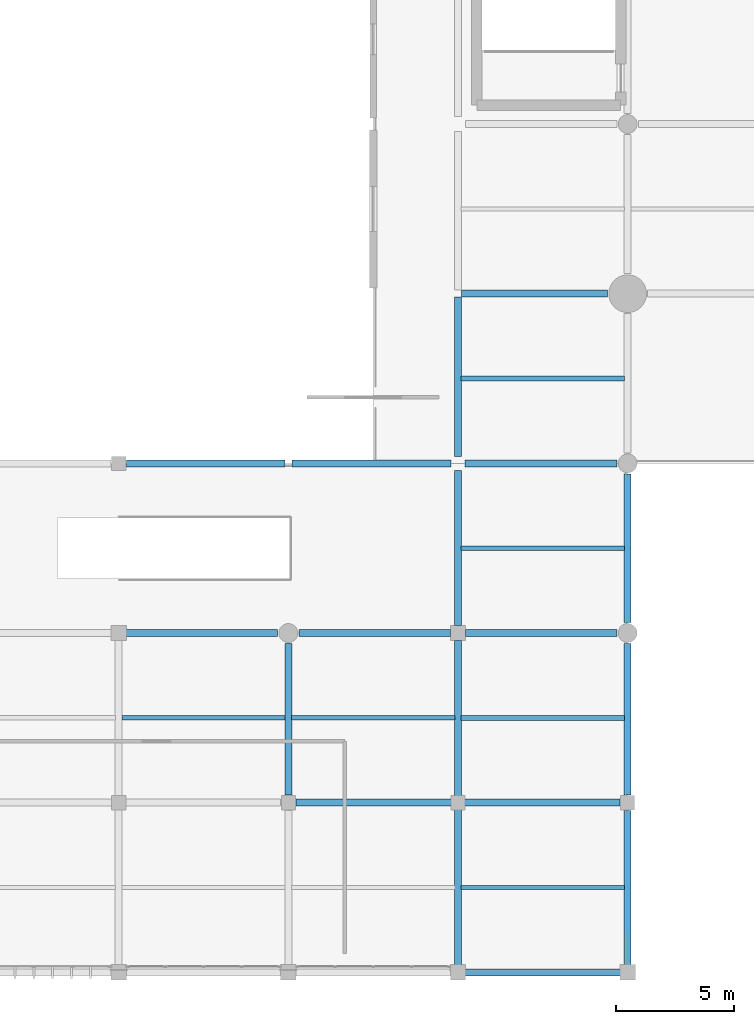
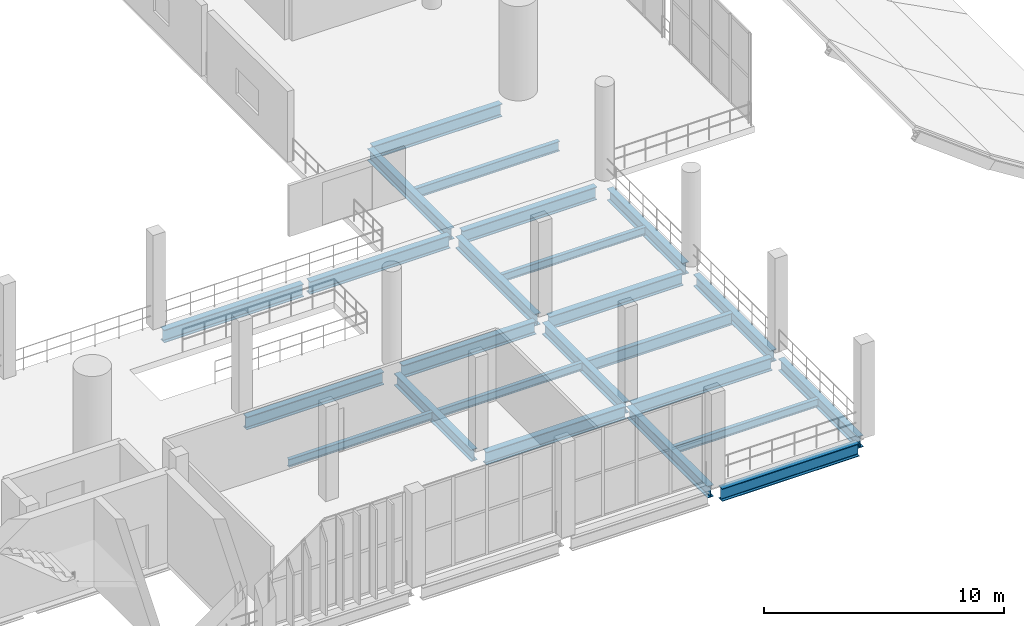
# One storey, part 27 of 105: 24 beams.
"""IFC4 building model written with IfcOpenShell, lengths in metres."""

from ifc_helpers import new_model, si_unit, direction, frame, origin, origin_2d, place, context, subcontext, project, spatial, i_section, extrude, material, material_profile, profile_set, type_object, element, save


model = new_model("IFC4")

# Units and contexts
model_context = context("Model", 3, precision=1e-05, world=origin(), true_north=direction((0.0, 1.0)))
body_context = subcontext(model_context, "Body", "Model", "MODEL_VIEW")
ifc_project = project(units=[si_unit("LENGTHUNIT", "METRE"), si_unit("AREAUNIT", "SQUARE_METRE"), si_unit("VOLUMEUNIT", "CUBIC_METRE"), si_unit("PLANEANGLEUNIT", "RADIAN"), si_unit("MASSUNIT", "GRAM", prefix="KILO")], contexts=[model_context])

# Site, building, storey
site_placement = place(None, origin())
site = spatial("IfcSite", under=ifc_project, at=site_placement, CompositionType="ELEMENT")
building_placement = place(site_placement, origin())
building = spatial("IfcBuilding", under=site, at=building_placement, Name="Qandorah Velis Arena", CompositionType="ELEMENT")
storey_placement = place(building_placement, frame((0.0, 0.0, 13.800048828125)))
storey = spatial("IfcBuildingStorey", under=building, at=storey_placement, Name="L03", CompositionType="ELEMENT", Elevation=13.800048828125)

# Beams
ifc_material = material(Name="Steel S355", Category="steel")
ifc_material_profile_1 = material_profile(ifc_material, i_section(OverallWidth=0.300048828125, OverallDepth=0.60009765625, WebThickness=0.015380859375, FlangeThickness=0.030029296875, FilletRadius=0.027099609375, at=origin_2d()), Name="HEB 600")
ifc_profile_set_1 = profile_set([ifc_material_profile_1], Name="Steel S355")
beam_type_1 = type_object("IfcBeamType", Name="STR-BM-HEB600", PredefinedType="BEAM", material=ifc_profile_set_1)
beam_1_placement = place(storey_placement, frame((100.800048828125, 7.52490234375, -0.6201171875), z_axis=(0.0, 1.0, 0.0), x_axis=(-1.0, 0.0, 0.0)))
element("IfcBeam", 1, at=beam_1_placement, inside=storey, type_object=beam_type_1, Name="Primary floor girder L03 Y-279", PredefinedType="BEAM", context=body_context, shape_type="SweptSolid", body=[
    extrude(i_section(OverallWidth=0.300048828125, OverallDepth=0.60009765625, WebThickness=0.015380859375, FlangeThickness=0.030029296875, FilletRadius=0.027099609375, at=origin_2d()), origin(), (0.0, 0.0, 1.0), 6.425048828125),
])
beam_2_placement = place(storey_placement, frame((108.0, 0.300048828125, -0.6201171875), z_axis=(0.0, 1.0, 0.0), x_axis=(-1.0, 0.0, 0.0)))
element("IfcBeam", 2, at=beam_2_placement, inside=storey, type_object=beam_type_1, Name="Primary floor girder L03 Y-281", PredefinedType="BEAM", context=body_context, shape_type="SweptSolid", body=[
    extrude(i_section(OverallWidth=0.300048828125, OverallDepth=0.60009765625, WebThickness=0.015380859375, FlangeThickness=0.030029296875, FilletRadius=0.027099609375, at=origin_2d()), origin(), (0.0, 0.0, 1.0), 6.75),
])
beam_3_placement = place(storey_placement, frame((108.0, 7.35009765625, -0.6201171875), z_axis=(0.0, 1.0, 0.0), x_axis=(-1.0, 0.0, 0.0)))
element("IfcBeam", 3, at=beam_3_placement, inside=storey, type_object=beam_type_1, Name="Primary floor girder L03 Y-282", PredefinedType="BEAM", context=body_context, shape_type="SweptSolid", body=[
    extrude(i_section(OverallWidth=0.300048828125, OverallDepth=0.60009765625, WebThickness=0.015380859375, FlangeThickness=0.030029296875, FilletRadius=0.027099609375, at=origin_2d()), origin(), (0.0, 0.0, 1.0), 6.724853515625),
])
beam_4_placement = place(storey_placement, frame((108.0, 14.72509765625, -0.6201171875), z_axis=(0.0, 1.0, 0.0), x_axis=(-1.0, 0.0, 0.0)))
element("IfcBeam", 4, at=beam_4_placement, inside=storey, type_object=beam_type_1, Name="Primary floor girder L03 Y-283", PredefinedType="BEAM", context=body_context, shape_type="SweptSolid", body=[
    extrude(i_section(OverallWidth=0.300048828125, OverallDepth=0.60009765625, WebThickness=0.015380859375, FlangeThickness=0.030029296875, FilletRadius=0.027099609375, at=origin_2d()), origin(), (0.0, 0.0, 1.0), 6.574951171875),
])
beam_5_placement = place(storey_placement, frame((108.0, 21.89990234375, -0.6201171875), z_axis=(0.0, 1.0, 0.0), x_axis=(-1.0, 0.0, 0.0)))
element("IfcBeam", 5, at=beam_5_placement, inside=storey, type_object=beam_type_1, Name="Primary floor girder L03 Y-284", PredefinedType="BEAM", context=body_context, shape_type="SweptSolid", body=[
    extrude(i_section(OverallWidth=0.300048828125, OverallDepth=0.60009765625, WebThickness=0.015380859375, FlangeThickness=0.030029296875, FilletRadius=0.027099609375, at=origin_2d()), origin(), (0.0, 0.0, 1.0), 6.75),
])
beam_6_placement = place(storey_placement, frame((115.199951171875, 0.300048828125, -0.6201171875), z_axis=(0.0, 1.0, 0.0), x_axis=(-1.0, 0.0, 0.0)))
element("IfcBeam", 6, at=beam_6_placement, inside=storey, type_object=beam_type_1, Name="Primary floor girder L03 Y-299", PredefinedType="BEAM", context=body_context, shape_type="SweptSolid", body=[
    extrude(i_section(OverallWidth=0.300048828125, OverallDepth=0.60009765625, WebThickness=0.015380859375, FlangeThickness=0.030029296875, FilletRadius=0.027099609375, at=origin_2d()), origin(), (0.0, 0.0, 1.0), 6.574951171875),
])
beam_7_placement = place(storey_placement, frame((115.199951171875, 7.52490234375, -0.6201171875), z_axis=(0.0, 1.0, 0.0), x_axis=(-1.0, 0.0, 0.0)))
element("IfcBeam", 7, at=beam_7_placement, inside=storey, type_object=beam_type_1, Name="Primary floor girder L03 Y-300", PredefinedType="BEAM", context=body_context, shape_type="SweptSolid", body=[
    extrude(i_section(OverallWidth=0.300048828125, OverallDepth=0.60009765625, WebThickness=0.015380859375, FlangeThickness=0.030029296875, FilletRadius=0.027099609375, at=origin_2d()), origin(), (0.0, 0.0, 1.0), 6.425048828125),
])
beam_8_placement = place(storey_placement, frame((115.199951171875, 14.85009765625, -0.6201171875), z_axis=(0.0, 1.0, 0.0), x_axis=(-1.0, 0.0, 0.0)))
element("IfcBeam", 8, at=beam_8_placement, inside=storey, type_object=beam_type_1, Name="Primary floor girder L03 Y-301", PredefinedType="BEAM", context=body_context, shape_type="SweptSolid", body=[
    extrude(i_section(OverallWidth=0.300048828125, OverallDepth=0.60009765625, WebThickness=0.015380859375, FlangeThickness=0.030029296875, FilletRadius=0.027099609375, at=origin_2d()), origin(), (0.0, 0.0, 1.0), 6.2998046875),
])
ifc_material_profile_2 = material_profile(ifc_material, i_section(OverallWidth=0.300048828125, OverallDepth=0.64990234375, WebThickness=0.01611328125, FlangeThickness=0.031005859375, FilletRadius=0.027099609375, at=origin_2d()), Name="HEB 650")
ifc_profile_set_2 = profile_set([ifc_material_profile_2], Name="Steel S355")
beam_type_2 = type_object("IfcBeamType", Name="STR-BM-HEB650", PredefinedType="BEAM", material=ifc_profile_set_2)
beam_9_placement = place(storey_placement, frame((108.300048828125, 0.0, -0.64501953125), z_axis=(1.0, 0.0, 0.0), x_axis=(0.0, 1.0, 0.0)))
element("IfcBeam", 9, at=beam_9_placement, inside=storey, type_object=beam_type_2, Name="Primary floor girder L03 X-012", PredefinedType="BEAM", context=body_context, shape_type="SweptSolid", body=[
    extrude(i_section(OverallWidth=0.300048828125, OverallDepth=0.64990234375, WebThickness=0.01611328125, FlangeThickness=0.031005859375, FilletRadius=0.027099609375, at=origin_2d()), origin(), (0.0, 0.0, 1.0), 6.599853515625),
])
for number, where, z_axis, x_axis, name in (
    (10, (101.125, 7.199951171875, -0.64501953125), (1.0, 0.0, 0.0), (0.0, 1.0, 0.0), "Primary floor girder L03 X-023"),
    (11, (108.14990234375, 7.199951171875, -0.64501953125), (1.0, 0.0, 0.0), (0.0, 1.0, 0.0), "Primary floor girder L03 X-024"),
):
    element("IfcBeam", number, at=place(storey_placement, frame(where, z_axis=z_axis, x_axis=x_axis)), inside=storey, type_object=beam_type_2, Name=name, PredefinedType="BEAM", context=body_context, shape_type="SweptSolid", body=[
        extrude(i_section(OverallWidth=0.300048828125, OverallDepth=0.64990234375, WebThickness=0.01611328125, FlangeThickness=0.031005859375, FilletRadius=0.027099609375, at=origin_2d()), origin(), (0.0, 0.0, 1.0), 6.72509765625),
    ])
beam_10_placement = place(storey_placement, frame((93.75, 14.39990234375, -0.64501953125), z_axis=(1.0, 0.0, 0.0), x_axis=(0.0, 1.0, 0.0)))
element("IfcBeam", 12, at=beam_10_placement, inside=storey, type_object=beam_type_2, Name="Primary floor girder L03 X-038", PredefinedType="BEAM", context=body_context, shape_type="SweptSolid", body=[
    extrude(i_section(OverallWidth=0.300048828125, OverallDepth=0.64990234375, WebThickness=0.01611328125, FlangeThickness=0.031005859375, FilletRadius=0.027099609375, at=origin_2d()), origin(), (0.0, 0.0, 1.0), 6.60009765625),
])
for number, where, z_axis, x_axis, name in (
    (13, (101.25, 14.39990234375, -0.64501953125), (1.0, 0.0, 0.0), (0.0, 1.0, 0.0), "Primary floor girder L03 X-039"),
    (14, (108.324951171875, 14.39990234375, -0.64501953125), (1.0, 0.0, 0.0), (0.0, 1.0, 0.0), "Primary floor girder L03 X-040"),
):
    element("IfcBeam", number, at=place(storey_placement, frame(where, z_axis=z_axis, x_axis=x_axis)), inside=storey, type_object=beam_type_2, Name=name, PredefinedType="BEAM", context=body_context, shape_type="SweptSolid", body=[
        extrude(i_section(OverallWidth=0.300048828125, OverallDepth=0.64990234375, WebThickness=0.01611328125, FlangeThickness=0.031005859375, FilletRadius=0.027099609375, at=origin_2d()), origin(), (0.0, 0.0, 1.0), 6.425048828125),
    ])
beam_11_placement = place(storey_placement, frame((93.925048828125, 21.60009765625, -0.64501953125), z_axis=(1.0, 0.0, 0.0), x_axis=(0.0, 1.0, 0.0)))
element("IfcBeam", 15, at=beam_11_placement, inside=storey, type_object=beam_type_2, Name="Primary floor girder L03 X-054", PredefinedType="BEAM", context=body_context, shape_type="SweptSolid", body=[
    extrude(i_section(OverallWidth=0.300048828125, OverallDepth=0.64990234375, WebThickness=0.01611328125, FlangeThickness=0.031005859375, FilletRadius=0.027099609375, at=origin_2d()), origin(), (0.0, 0.0, 1.0), 6.724853515625),
])
beam_12_placement = place(storey_placement, frame((100.949951171875, 21.60009765625, -0.64501953125), z_axis=(1.0, 0.0, 0.0), x_axis=(0.0, 1.0, 0.0)))
element("IfcBeam", 16, at=beam_12_placement, inside=storey, type_object=beam_type_2, Name="Primary floor girder L03 X-055", PredefinedType="BEAM", context=body_context, shape_type="SweptSolid", body=[
    extrude(i_section(OverallWidth=0.300048828125, OverallDepth=0.64990234375, WebThickness=0.01611328125, FlangeThickness=0.031005859375, FilletRadius=0.027099609375, at=origin_2d()), origin(), (0.0, 0.0, 1.0), 6.75),
])
beam_13_placement = place(storey_placement, frame((108.300048828125, 21.60009765625, -0.64501953125), z_axis=(1.0, 0.0, 0.0), x_axis=(0.0, 1.0, 0.0)))
element("IfcBeam", 17, at=beam_13_placement, inside=storey, type_object=beam_type_2, Name="Primary floor girder L03 X-056", PredefinedType="BEAM", context=body_context, shape_type="SweptSolid", body=[
    extrude(i_section(OverallWidth=0.300048828125, OverallDepth=0.64990234375, WebThickness=0.01611328125, FlangeThickness=0.031005859375, FilletRadius=0.027099609375, at=origin_2d()), origin(), (0.0, 0.0, 1.0), 6.449951171875),
])
beam_14_placement = place(storey_placement, frame((108.14990234375, 28.800048828125, -0.64501953125), z_axis=(1.0, 0.0, 0.0), x_axis=(0.0, 1.0, 0.0)))
element("IfcBeam", 18, at=beam_14_placement, inside=storey, type_object=beam_type_2, Name="Primary floor girder L03 X-060", PredefinedType="BEAM", context=body_context, shape_type="SweptSolid", body=[
    extrude(i_section(OverallWidth=0.300048828125, OverallDepth=0.64990234375, WebThickness=0.01611328125, FlangeThickness=0.031005859375, FilletRadius=0.027099609375, at=origin_2d()), origin(), (0.0, 0.0, 1.0), 6.2001953125),
])
ifc_material_profile_3 = material_profile(ifc_material, i_section(OverallWidth=0.179931640625, OverallDepth=0.39990234375, WebThickness=0.008544921875, FlangeThickness=0.013427734375, FilletRadius=0.02099609375, at=origin_2d()), Name="IPE 400")
ifc_profile_set_3 = profile_set([ifc_material_profile_3], Name="Steel S355")
beam_type_3 = type_object("IfcBeamType", Name="STR-JST-IPE400", PredefinedType="JOIST", material=ifc_profile_set_3)
for number, where, z_axis, x_axis, name in (
    (19, (93.735107421875, 10.800048828125, -0.52001953125), (1.0, 0.0, 0.0), (0.0, 1.0, 0.0), "Secondary floor joist L03-068"),
    (20, (100.93505859375, 10.800048828125, -0.52001953125), (1.0, 0.0, 0.0), (0.0, 1.0, 0.0), "Secondary floor joist L03-071"),
    (21, (108.135009765625, 3.60009765625, -0.52001953125), (1.0, 0.0, 0.0), (0.0, 1.0, 0.0), "Secondary floor joist L03-073"),
    (22, (108.135009765625, 18.0, -0.52001953125), (1.0, 0.0, 0.0), (0.0, 1.0, 0.0), "Secondary floor joist L03-075"),
):
    element("IfcBeam", number, at=place(storey_placement, frame(where, z_axis=z_axis, x_axis=x_axis)), inside=storey, type_object=beam_type_3, Name=name, PredefinedType="JOIST", context=body_context, shape_type="SweptSolid", body=[
        extrude(i_section(OverallWidth=0.179931640625, OverallDepth=0.39990234375, WebThickness=0.008544921875, FlangeThickness=0.013427734375, FilletRadius=0.02099609375, at=origin_2d()), origin(), (0.0, 0.0, 1.0), 6.929931640625),
    ])
ifc_material_profile_4 = material_profile(ifc_material, i_section(OverallWidth=0.199951171875, OverallDepth=0.5, WebThickness=0.01025390625, FlangeThickness=0.01611328125, FilletRadius=0.02099609375, at=origin_2d()), Name="IPE 500")
ifc_profile_set_4 = profile_set([ifc_material_profile_4], Name="Steel S355")
beam_type_4 = type_object("IfcBeamType", Name="STR-JST-IPE500", PredefinedType="JOIST", material=ifc_profile_set_4)
beam_15_placement = place(storey_placement, frame((108.135009765625, 25.199951171875, -0.570068359375), z_axis=(1.0, 0.0, 0.0), x_axis=(0.0, 1.0, 0.0)))
element("IfcBeam", 23, at=beam_15_placement, inside=storey, type_object=beam_type_4, Name="Secondary floor joist L03-076", PredefinedType="JOIST", context=body_context, shape_type="SweptSolid", body=[
    extrude(i_section(OverallWidth=0.199951171875, OverallDepth=0.5, WebThickness=0.01025390625, FlangeThickness=0.01611328125, FilletRadius=0.02099609375, at=origin_2d()), origin(), (0.0, 0.0, 1.0), 6.929931640625),
])
ifc_material_profile_5 = material_profile(ifc_material, i_section(OverallWidth=0.219970703125, OverallDepth=0.60009765625, WebThickness=0.011962890625, FlangeThickness=0.01904296875, FilletRadius=0.02392578125, at=origin_2d()), Name="IPE 600")
ifc_profile_set_5 = profile_set([ifc_material_profile_5], Name="Steel S355")
beam_type_5 = type_object("IfcBeamType", Name="STR-JST-IPE600", PredefinedType="JOIST", material=ifc_profile_set_5)
beam_16_placement = place(storey_placement, frame((108.135009765625, 10.800048828125, -0.6201171875), z_axis=(1.0, 0.0, 0.0), x_axis=(0.0, 1.0, 0.0)))
element("IfcBeam", 24, at=beam_16_placement, inside=storey, type_object=beam_type_5, Name="Secondary floor joist L03-074", PredefinedType="JOIST", context=body_context, shape_type="SweptSolid", body=[
    extrude(i_section(OverallWidth=0.219970703125, OverallDepth=0.60009765625, WebThickness=0.011962890625, FlangeThickness=0.01904296875, FilletRadius=0.02392578125, at=origin_2d()), origin(), (0.0, 0.0, 1.0), 6.929931640625),
])

save(model, "model.ifc")
